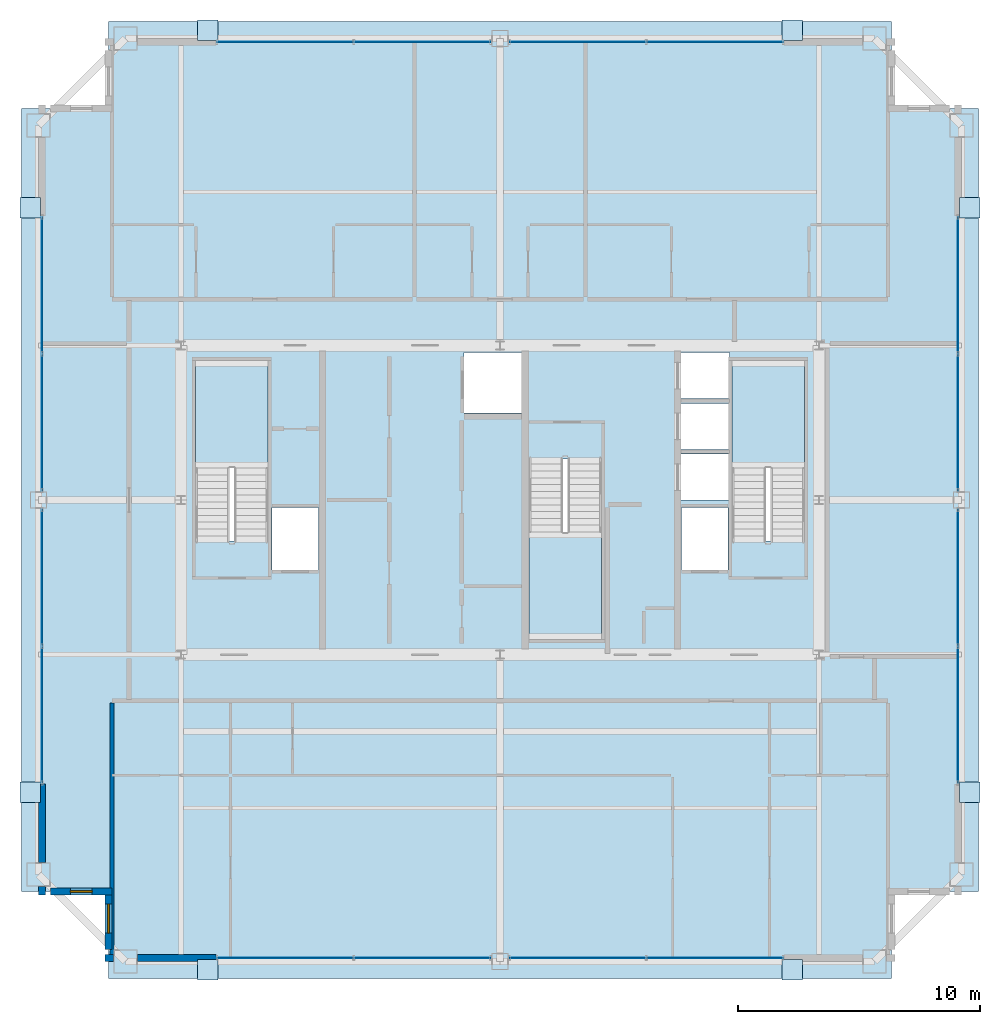
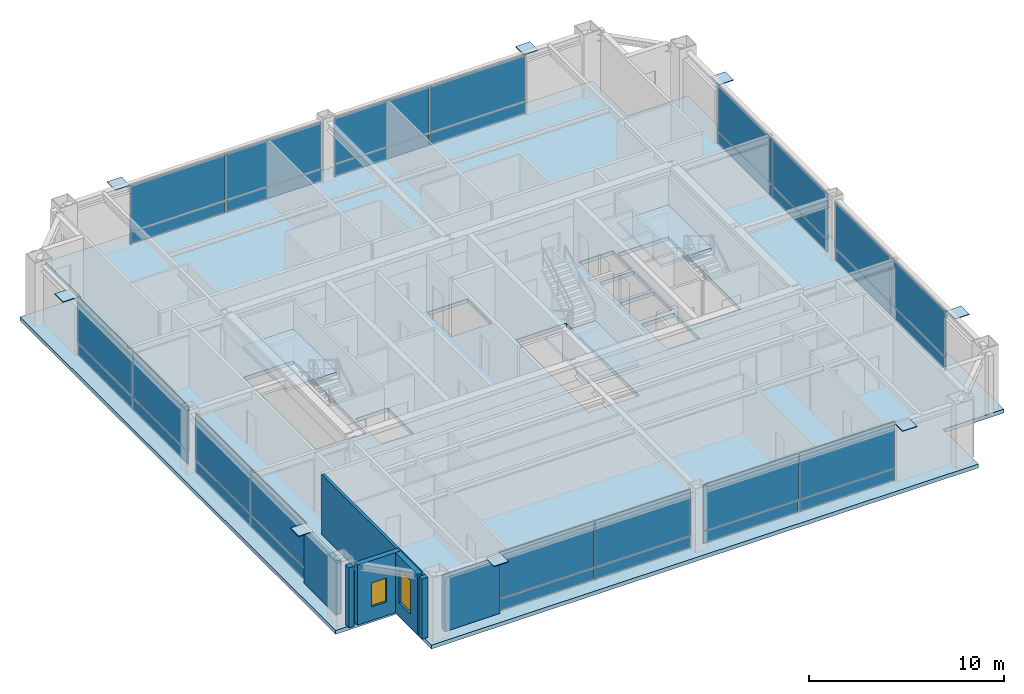
# One storey, part 29 of 34: 40 plates, 7 walls, 4 slabs, 2 windows, 2 openings, 11 elements without a shape of their own.
"""IFC4 building model written with IfcOpenShell, lengths in metres."""

from ifc_helpers import new_model, si_unit, direction, frame, frame_2d, origin, origin_2d, place, context, subcontext, project, spatial, polyline, rectangle, outline, extrude, source, transform, mapped, material, layer, layer_set, type_object, element, fill, aggregate, save


model = new_model("IFC4")

# Units and contexts
model_context = context("Model", 3, precision=1e-05, world=origin(), true_north=direction((0.0, 1.0)))
body_context = subcontext(model_context, "Body", "Model", "MODEL_VIEW")
ifc_project = project(units=[si_unit("LENGTHUNIT", "METRE"), si_unit("AREAUNIT", "SQUARE_METRE"), si_unit("VOLUMEUNIT", "CUBIC_METRE"), si_unit("PLANEANGLEUNIT", "RADIAN"), si_unit("MASSUNIT", "GRAM", prefix="KILO"), si_unit("THERMODYNAMICTEMPERATUREUNIT", "KELVIN"), si_unit("POWERUNIT", "WATT")], contexts=[model_context])

# Site, building, storey
site_placement = place(None, origin())
site = spatial("IfcSite", under=ifc_project, at=site_placement, CompositionType="ELEMENT")
building_placement = place(site_placement, origin())
building = spatial("IfcBuilding", under=site, at=building_placement, Name="Yuzanri Waterfront Tower", CompositionType="ELEMENT")
storey_placement = place(building_placement, frame((0.0, 0.0, 339.199951171875)))
storey = spatial("IfcBuildingStorey", under=building, at=storey_placement, Name="L91", CompositionType="ELEMENT", Elevation=339.199951171875)

# Slab
ifc_material_1 = material(Name="Concrete C40", Category="concrete")
ifc_layer_1 = layer(ifc_material_1, 0.239990234375)
ifc_layer_set_1 = layer_set([ifc_layer_1], Name="Concrete C40")
slab_type_1 = type_object("IfcSlabType", Name="Concrete C40 Penthouse Acoustic Structural Floor Slab 240", PredefinedType="FLOOR", material=ifc_layer_set_1)
slab_1_placement = place(storey_placement, frame((0.0, 0.0, -0.239990234375)))
element("IfcSlab", 1, at=slab_1_placement, inside=storey, type_object=slab_type_1, Name="L91 Main Structural Floor Slab", PredefinedType="FLOOR", context=body_context, shape_type="SweptSolid", body=[
    extrude(outline(polyline([(20.800048828125, 6.0), (53.199951171875, 6.0), (53.199951171875, 9.60009765625), (56.800048828125, 9.60009765625), (56.800048828125, 42.0), (53.199951171875, 42.0), (53.199951171875, 45.60009765625), (20.800048828125, 45.60009765625), (20.800048828125, 42.0), (17.199951171875, 42.0), (17.199951171875, 9.60009765625), (20.800048828125, 9.60009765625), (20.800048828125, 6.0)]), holes=[polyline([(27.39990234375, 24.10009765625), (27.39990234375, 31.580078125), (24.39990234375, 31.580078125), (24.39990234375, 24.10009765625), (27.39990234375, 24.10009765625)]), polyline([(49.60009765625, 24.10009765625), (49.60009765625, 31.580078125), (46.60009765625, 31.580078125), (46.60009765625, 24.10009765625), (49.60009765625, 24.10009765625)]), polyline([(38.199951171875, 27.5), (38.199951171875, 20.02001953125), (41.199951171875, 20.02001953125), (41.199951171875, 27.5), (38.199951171875, 27.5)]), polyline([(27.56005859375, 22.89990234375), (29.47998046875, 22.89990234375), (29.47998046875, 25.5), (27.56005859375, 25.5), (27.56005859375, 22.89990234375)]), polyline([(44.52001953125, 22.89990234375), (46.43994140625, 22.89990234375), (46.43994140625, 25.5), (44.52001953125, 25.5), (44.52001953125, 22.89990234375)]), polyline([(35.5, 29.39990234375), (37.89990234375, 29.39990234375), (37.89990234375, 31.89990234375), (35.5, 31.89990234375), (35.5, 29.39990234375)]), polyline([(44.5, 25.800048828125), (46.5, 25.800048828125), (46.5, 27.699951171875), (44.5, 27.699951171875), (44.5, 25.800048828125)]), polyline([(44.5, 27.89990234375), (46.5, 27.89990234375), (46.5, 29.800048828125), (44.5, 29.800048828125), (44.5, 27.89990234375)]), polyline([(44.5, 30.0), (46.5, 30.0), (46.5, 31.89990234375), (44.5, 31.89990234375), (44.5, 30.0)])]), origin(), (0.0, 0.0, 1.0), 0.239990234375),
])

# Stair, slab
ifc_material_2 = material(Name="Concrete C40", Category="concrete")
stair_type = type_object("IfcStairType", Name="Concrete C40 Core Dogleg Exit Stair", PredefinedType="HALF_TURN_STAIR", material=ifc_material_2)
stair_1_placement = place(storey_placement, origin())
stair_1 = element("IfcStair", 2, at=stair_1_placement, inside=storey, type_object=stair_type, Name="L91 Smoke-Proof Core Stair ST-01", PredefinedType="HALF_TURN_STAIR")
ifc_material_3 = material(Name="Concrete C40", Category="concrete")
ifc_layer_2 = layer(ifc_material_3, 0.179931640625)
ifc_layer_set_2 = layer_set([ifc_layer_2], Name="Concrete C40")
slab_type_2 = type_object("IfcSlabType", Name="Concrete C40 Stair Half-Landing Slab 180", PredefinedType="LANDING", material=ifc_layer_set_2)
slab_2_placement = place(storey_placement, frame((0.0, 0.0, 1.800048828125)))
slab_2 = element("IfcSlab", 3, at=slab_2_placement, type_object=slab_type_2, Name="ST-01 landing 1", PredefinedType="LANDING", context=body_context, shape_type="SweptSolid", body=[
    extrude(outline(polyline([(27.39990234375, 27.1201171875), (27.39990234375, 31.580078125), (24.39990234375, 31.580078125), (24.39990234375, 27.1201171875), (27.39990234375, 27.1201171875)])), origin(), (0.0, 0.0, 1.0), 0.199951171875),
])
aggregate(stair_1, [slab_2])

stair_2_placement = place(storey_placement, origin())
stair_2 = element("IfcStair", 4, at=stair_2_placement, inside=storey, type_object=stair_type, Name="L91 Smoke-Proof Core Stair ST-02", PredefinedType="HALF_TURN_STAIR")
slab_3_placement = place(storey_placement, frame((0.0, 0.0, 1.800048828125)))
slab_3 = element("IfcSlab", 5, at=slab_3_placement, type_object=slab_type_2, Name="ST-02 landing 1", PredefinedType="LANDING", context=body_context, shape_type="SweptSolid", body=[
    extrude(outline(polyline([(49.60009765625, 27.1201171875), (49.60009765625, 31.580078125), (46.60009765625, 31.580078125), (46.60009765625, 27.1201171875), (49.60009765625, 27.1201171875)])), origin(), (0.0, 0.0, 1.0), 0.199951171875),
])
aggregate(stair_2, [slab_3])

stair_3_placement = place(storey_placement, origin())
stair_3 = element("IfcStair", 6, at=stair_3_placement, inside=storey, type_object=stair_type, Name="L91 Smoke-Proof Core Stair ST-03", PredefinedType="HALF_TURN_STAIR")
slab_4_placement = place(storey_placement, frame((0.0, 0.0, 1.800048828125)))
slab_4 = element("IfcSlab", 7, at=slab_4_placement, type_object=slab_type_2, Name="ST-03 landing 1", PredefinedType="LANDING", context=body_context, shape_type="SweptSolid", body=[
    extrude(outline(polyline([(38.199951171875, 24.47998046875), (38.199951171875, 20.02001953125), (41.199951171875, 20.02001953125), (41.199951171875, 24.47998046875), (38.199951171875, 24.47998046875)])), origin(), (0.0, 0.0, 1.0), 0.199951171875),
])
aggregate(stair_3, [slab_4])

# Plates
ifc_material_4 = material(Name="Steel Q420GJC", Category="steel")
ifc_layer_3 = layer(ifc_material_4, 0.0400390625)
ifc_layer_set_3 = layer_set([ifc_layer_3], Name="Steel Q420GJC")
plate_type_1 = type_object("IfcPlateType", Name="Steel Q420GJC Mega-Brace Gusset and End-Cap Plate 40", PredefinedType="SHEET", material=ifc_layer_set_3)
shared_shape_1 = source(origin(), body_context, "Body", "SweptSolid", [
    extrude(rectangle(XDim=0.85009765625, YDim=0.85009765625, at=origin_2d()), origin(), (0.0, 0.0, 1.0), 0.0400390625),
])
for number, where, z_axis, x_axis, name in (
    (8, (24.89990234375, 6.360107421875, 3.659912109375), (0.0, 0.0, 1.0), (1.0, 0.0, 0.0), "L91 Mega-Brace Apex Cap Plate S-L"),
    (9, (49.10009765625, 6.360107421875, 3.659912109375), (0.0, 0.0, 1.0), (1.0, 0.0, 0.0), "L91 Mega-Brace Apex Cap Plate S-R"),
    (10, (24.89990234375, 45.239990234375, 3.659912109375), (0.0, 0.0, 1.0), (1.0, 0.0, 0.0), "L91 Mega-Brace Apex Cap Plate N-L"),
    (11, (49.10009765625, 45.239990234375, 3.659912109375), (0.0, 0.0, 1.0), (1.0, 0.0, 0.0), "L91 Mega-Brace Apex Cap Plate N-R"),
    (12, (17.56005859375, 13.699951171875, 3.659912109375), (0.0, 0.0, 1.0), (1.0, 0.0, 0.0), "L91 Mega-Brace Apex Cap Plate W-L"),
    (13, (17.56005859375, 37.89990234375, 3.659912109375), (0.0, 0.0, 1.0), (1.0, 0.0, 0.0), "L91 Mega-Brace Apex Cap Plate W-R"),
    (14, (56.43994140625, 13.699951171875, 3.659912109375), (0.0, 0.0, 1.0), (1.0, 0.0, 0.0), "L91 Mega-Brace Apex Cap Plate E-L"),
    (15, (56.43994140625, 37.89990234375, 3.659912109375), (0.0, 0.0, 1.0), (1.0, 0.0, 0.0), "L91 Mega-Brace Apex Cap Plate E-R"),
):
    element("IfcPlate", number, at=place(storey_placement, frame(where, z_axis=z_axis, x_axis=x_axis)), inside=storey, type_object=plate_type_1, Name=name, PredefinedType="SHEET", context=body_context, shape_type="MappedRepresentation", body=[
        mapped(shared_shape_1, transform((0.0, 0.0, 0.0), scale=1.0)),
    ])

# Curtain wall, plates
ifc_material_5 = material(Name="Anodized Architectural Bronze", Category="metal")
ifc_layer_4 = layer(ifc_material_5, 0.159912109375)
ifc_layer_set_4 = layer_set([ifc_layer_4], Name="Anodized Architectural Bronze")
curtain_wall_type = type_object("IfcCurtainWallType", Name="Anodized Bronze High-Rise Penthouse High-Wind Unitized Curtain Wall 6900", PredefinedType="NOTDEFINED", material=ifc_layer_set_4)
curtain_wall_1_placement = place(storey_placement, origin())
curtain_wall_1 = element("IfcCurtainWall", 16, at=curtain_wall_1_placement, inside=storey, type_object=curtain_wall_type, Name="L91 Curtain Wall CW-L91-SL", PredefinedType="NOTDEFINED")
ifc_material_6 = material(Name="Anodized Architectural Bronze", Category="metal")
ifc_layer_5 = layer(ifc_material_6, 0.028076171875)
ifc_layer_set_5 = layer_set([ifc_layer_5], Name="Anodized Architectural Bronze")
plate_type_2 = type_object("IfcPlateType", Name="Bronze Insulated Spandrel Shadow-Box Panel 28", PredefinedType="CURTAIN_PANEL", material=ifc_layer_set_5)
shared_shape_2 = source(origin(), body_context, "Body", "SweptSolid", [
    extrude(rectangle(XDim=5.6201171875, YDim=0.028076171875, at=origin_2d()), origin(), (0.0, 0.0, 1.0), 0.739990234375),
])
plate_1_placement = place(storey_placement, frame((28.10009765625, 6.85009765625, 0.05029296875), z_axis=(0.0, 0.0, 1.0), x_axis=(1.0, 0.0, 0.0)))
plate_1 = element("IfcPlate", 17, at=plate_1_placement, type_object=plate_type_2, Name="CW-L91-SL Spandrel Panel 01", PredefinedType="CURTAIN_PANEL", context=body_context, shape_type="MappedRepresentation", body=[
    mapped(shared_shape_2, transform((0.0, 0.0, 0.0), scale=1.0)),
])
plate_2_placement = place(storey_placement, frame((33.800048828125, 6.85009765625, 0.05029296875), z_axis=(0.0, 0.0, 1.0), x_axis=(1.0, 0.0, 0.0)))
plate_2 = element("IfcPlate", 18, at=plate_2_placement, type_object=plate_type_2, Name="CW-L91-SL Spandrel Panel 02", PredefinedType="CURTAIN_PANEL", context=body_context, shape_type="MappedRepresentation", body=[
    mapped(shared_shape_2, transform((0.0, 0.0, 0.0), scale=1.0)),
])

curtain_wall_2_placement = place(storey_placement, origin())
curtain_wall_2 = element("IfcCurtainWall", 19, at=curtain_wall_2_placement, inside=storey, type_object=curtain_wall_type, Name="L91 Curtain Wall CW-L91-SR", PredefinedType="NOTDEFINED")
plate_3_placement = place(storey_placement, frame((40.199951171875, 6.85009765625, 0.05029296875), z_axis=(0.0, 0.0, 1.0), x_axis=(1.0, 0.0, 0.0)))
plate_3 = element("IfcPlate", 20, at=plate_3_placement, type_object=plate_type_2, Name="CW-L91-SR Spandrel Panel 01", PredefinedType="CURTAIN_PANEL", context=body_context, shape_type="MappedRepresentation", body=[
    mapped(shared_shape_2, transform((0.0, 0.0, 0.0), scale=1.0)),
])
plate_4_placement = place(storey_placement, frame((45.89990234375, 6.85009765625, 0.05029296875), z_axis=(0.0, 0.0, 1.0), x_axis=(1.0, 0.0, 0.0)))
plate_4 = element("IfcPlate", 21, at=plate_4_placement, type_object=plate_type_2, Name="CW-L91-SR Spandrel Panel 02", PredefinedType="CURTAIN_PANEL", context=body_context, shape_type="MappedRepresentation", body=[
    mapped(shared_shape_2, transform((0.0, 0.0, 0.0), scale=1.0)),
])

curtain_wall_3_placement = place(storey_placement, origin())
curtain_wall_3 = element("IfcCurtainWall", 22, at=curtain_wall_3_placement, inside=storey, type_object=curtain_wall_type, Name="L91 Curtain Wall CW-L91-NL", PredefinedType="NOTDEFINED")
plate_5_placement = place(storey_placement, frame((28.10009765625, 44.75, 0.05029296875), z_axis=(0.0, 0.0, 1.0), x_axis=(1.0, 0.0, 0.0)))
plate_5 = element("IfcPlate", 23, at=plate_5_placement, type_object=plate_type_2, Name="CW-L91-NL Spandrel Panel 01", PredefinedType="CURTAIN_PANEL", context=body_context, shape_type="MappedRepresentation", body=[
    mapped(shared_shape_2, transform((0.0, 0.0, 0.0), scale=1.0)),
])
plate_6_placement = place(storey_placement, frame((33.800048828125, 44.75, 0.05029296875), z_axis=(0.0, 0.0, 1.0), x_axis=(1.0, 0.0, 0.0)))
plate_6 = element("IfcPlate", 24, at=plate_6_placement, type_object=plate_type_2, Name="CW-L91-NL Spandrel Panel 02", PredefinedType="CURTAIN_PANEL", context=body_context, shape_type="MappedRepresentation", body=[
    mapped(shared_shape_2, transform((0.0, 0.0, 0.0), scale=1.0)),
])

curtain_wall_4_placement = place(storey_placement, origin())
curtain_wall_4 = element("IfcCurtainWall", 25, at=curtain_wall_4_placement, inside=storey, type_object=curtain_wall_type, Name="L91 Curtain Wall CW-L91-NR", PredefinedType="NOTDEFINED")
plate_7_placement = place(storey_placement, frame((40.199951171875, 44.75, 0.05029296875), z_axis=(0.0, 0.0, 1.0), x_axis=(1.0, 0.0, 0.0)))
plate_7 = element("IfcPlate", 26, at=plate_7_placement, type_object=plate_type_2, Name="CW-L91-NR Spandrel Panel 01", PredefinedType="CURTAIN_PANEL", context=body_context, shape_type="MappedRepresentation", body=[
    mapped(shared_shape_2, transform((0.0, 0.0, 0.0), scale=1.0)),
])
plate_8_placement = place(storey_placement, frame((45.89990234375, 44.75, 0.05029296875), z_axis=(0.0, 0.0, 1.0), x_axis=(1.0, 0.0, 0.0)))
plate_8 = element("IfcPlate", 27, at=plate_8_placement, type_object=plate_type_2, Name="CW-L91-NR Spandrel Panel 02", PredefinedType="CURTAIN_PANEL", context=body_context, shape_type="MappedRepresentation", body=[
    mapped(shared_shape_2, transform((0.0, 0.0, 0.0), scale=1.0)),
])

curtain_wall_5_placement = place(storey_placement, origin())
curtain_wall_5 = element("IfcCurtainWall", 28, at=curtain_wall_5_placement, inside=storey, type_object=curtain_wall_type, Name="L91 Curtain Wall CW-L91-WL", PredefinedType="NOTDEFINED")
plate_9_placement = place(storey_placement, frame((18.050048828125, 16.89990234375, 0.05029296875), z_axis=(0.0, 0.0, 1.0), x_axis=(0.0, 1.0, 0.0)))
plate_9 = element("IfcPlate", 29, at=plate_9_placement, type_object=plate_type_2, Name="CW-L91-WL Spandrel Panel 01", PredefinedType="CURTAIN_PANEL", context=body_context, shape_type="MappedRepresentation", body=[
    mapped(shared_shape_2, transform((0.0, 0.0, 0.0), scale=1.0)),
])
plate_10_placement = place(storey_placement, frame((18.050048828125, 22.60009765625, 0.05029296875), z_axis=(0.0, 0.0, 1.0), x_axis=(0.0, 1.0, 0.0)))
plate_10 = element("IfcPlate", 30, at=plate_10_placement, type_object=plate_type_2, Name="CW-L91-WL Spandrel Panel 02", PredefinedType="CURTAIN_PANEL", context=body_context, shape_type="MappedRepresentation", body=[
    mapped(shared_shape_2, transform((0.0, 0.0, 0.0), scale=1.0)),
])

curtain_wall_6_placement = place(storey_placement, origin())
curtain_wall_6 = element("IfcCurtainWall", 31, at=curtain_wall_6_placement, inside=storey, type_object=curtain_wall_type, Name="L91 Curtain Wall CW-L91-WR", PredefinedType="NOTDEFINED")
plate_11_placement = place(storey_placement, frame((18.050048828125, 29.0, 0.05029296875), z_axis=(0.0, 0.0, 1.0), x_axis=(0.0, 1.0, 0.0)))
plate_11 = element("IfcPlate", 32, at=plate_11_placement, type_object=plate_type_2, Name="CW-L91-WR Spandrel Panel 01", PredefinedType="CURTAIN_PANEL", context=body_context, shape_type="MappedRepresentation", body=[
    mapped(shared_shape_2, transform((0.0, 0.0, 0.0), scale=1.0)),
])
plate_12_placement = place(storey_placement, frame((18.050048828125, 34.699951171875, 0.05029296875), z_axis=(0.0, 0.0, 1.0), x_axis=(0.0, 1.0, 0.0)))
plate_12 = element("IfcPlate", 33, at=plate_12_placement, type_object=plate_type_2, Name="CW-L91-WR Spandrel Panel 02", PredefinedType="CURTAIN_PANEL", context=body_context, shape_type="MappedRepresentation", body=[
    mapped(shared_shape_2, transform((0.0, 0.0, 0.0), scale=1.0)),
])

curtain_wall_7_placement = place(storey_placement, origin())
curtain_wall_7 = element("IfcCurtainWall", 34, at=curtain_wall_7_placement, inside=storey, type_object=curtain_wall_type, Name="L91 Curtain Wall CW-L91-EL", PredefinedType="NOTDEFINED")
plate_13_placement = place(storey_placement, frame((55.949951171875, 16.89990234375, 0.05029296875), z_axis=(0.0, 0.0, 1.0), x_axis=(0.0, 1.0, 0.0)))
plate_13 = element("IfcPlate", 35, at=plate_13_placement, type_object=plate_type_2, Name="CW-L91-EL Spandrel Panel 01", PredefinedType="CURTAIN_PANEL", context=body_context, shape_type="MappedRepresentation", body=[
    mapped(shared_shape_2, transform((0.0, 0.0, 0.0), scale=1.0)),
])
plate_14_placement = place(storey_placement, frame((55.949951171875, 22.60009765625, 0.05029296875), z_axis=(0.0, 0.0, 1.0), x_axis=(0.0, 1.0, 0.0)))
plate_14 = element("IfcPlate", 36, at=plate_14_placement, type_object=plate_type_2, Name="CW-L91-EL Spandrel Panel 02", PredefinedType="CURTAIN_PANEL", context=body_context, shape_type="MappedRepresentation", body=[
    mapped(shared_shape_2, transform((0.0, 0.0, 0.0), scale=1.0)),
])

curtain_wall_8_placement = place(storey_placement, origin())
curtain_wall_8 = element("IfcCurtainWall", 37, at=curtain_wall_8_placement, inside=storey, type_object=curtain_wall_type, Name="L91 Curtain Wall CW-L91-ER", PredefinedType="NOTDEFINED")
plate_15_placement = place(storey_placement, frame((55.949951171875, 29.0, 0.05029296875), z_axis=(0.0, 0.0, 1.0), x_axis=(0.0, 1.0, 0.0)))
plate_15 = element("IfcPlate", 38, at=plate_15_placement, type_object=plate_type_2, Name="CW-L91-ER Spandrel Panel 01", PredefinedType="CURTAIN_PANEL", context=body_context, shape_type="MappedRepresentation", body=[
    mapped(shared_shape_2, transform((0.0, 0.0, 0.0), scale=1.0)),
])
plate_16_placement = place(storey_placement, frame((55.949951171875, 34.699951171875, 0.05029296875), z_axis=(0.0, 0.0, 1.0), x_axis=(0.0, 1.0, 0.0)))
plate_16 = element("IfcPlate", 39, at=plate_16_placement, type_object=plate_type_2, Name="CW-L91-ER Spandrel Panel 02", PredefinedType="CURTAIN_PANEL", context=body_context, shape_type="MappedRepresentation", body=[
    mapped(shared_shape_2, transform((0.0, 0.0, 0.0), scale=1.0)),
])

# Plate
ifc_material_7 = material(Name="Triple Low-E Laminated Insulated Glass", Category="glass")
ifc_layer_6 = layer(ifc_material_7, 0.0439453125)
ifc_layer_set_6 = layer_set([ifc_layer_6], Name="Triple Low-E Laminated Insulated Glass")
plate_type_3 = type_object("IfcPlateType", Name="Triple Glazed Acoustic Vision Glass Panel 44", PredefinedType="CURTAIN_PANEL", material=ifc_layer_set_6)
shared_shape_3 = source(origin(), body_context, "Body", "SweptSolid", [
    extrude(rectangle(XDim=5.6201171875, YDim=0.0439453125, at=origin_2d()), origin(), (0.0, 0.0, 1.0), 2.860107421875),
])
plate_17_placement = place(storey_placement, frame((28.10009765625, 6.85009765625, 0.85009765625), z_axis=(0.0, 0.0, 1.0), x_axis=(1.0, 0.0, 0.0)))
plate_17 = element("IfcPlate", 40, at=plate_17_placement, type_object=plate_type_3, Name="CW-L91-SL Vision Glass Panel 01", PredefinedType="CURTAIN_PANEL", context=body_context, shape_type="MappedRepresentation", body=[
    mapped(shared_shape_3, transform((0.0, 0.0, 0.0), scale=1.0)),
])

plate_18_placement = place(storey_placement, frame((33.800048828125, 6.85009765625, 0.85009765625), z_axis=(0.0, 0.0, 1.0), x_axis=(1.0, 0.0, 0.0)))
plate_18 = element("IfcPlate", 41, at=plate_18_placement, type_object=plate_type_3, Name="CW-L91-SL Vision Glass Panel 02", PredefinedType="CURTAIN_PANEL", context=body_context, shape_type="MappedRepresentation", body=[
    mapped(shared_shape_3, transform((0.0, 0.0, 0.0), scale=1.0)),
])

aggregate(curtain_wall_1, [plate_1, plate_17, plate_2, plate_18])

plate_19_placement = place(storey_placement, frame((40.199951171875, 6.85009765625, 0.85009765625), z_axis=(0.0, 0.0, 1.0), x_axis=(1.0, 0.0, 0.0)))
plate_19 = element("IfcPlate", 42, at=plate_19_placement, type_object=plate_type_3, Name="CW-L91-SR Vision Glass Panel 01", PredefinedType="CURTAIN_PANEL", context=body_context, shape_type="MappedRepresentation", body=[
    mapped(shared_shape_3, transform((0.0, 0.0, 0.0), scale=1.0)),
])

plate_20_placement = place(storey_placement, frame((45.89990234375, 6.85009765625, 0.85009765625), z_axis=(0.0, 0.0, 1.0), x_axis=(1.0, 0.0, 0.0)))
plate_20 = element("IfcPlate", 43, at=plate_20_placement, type_object=plate_type_3, Name="CW-L91-SR Vision Glass Panel 02", PredefinedType="CURTAIN_PANEL", context=body_context, shape_type="MappedRepresentation", body=[
    mapped(shared_shape_3, transform((0.0, 0.0, 0.0), scale=1.0)),
])

aggregate(curtain_wall_2, [plate_3, plate_19, plate_4, plate_20])

plate_21_placement = place(storey_placement, frame((28.10009765625, 44.75, 0.85009765625), z_axis=(0.0, 0.0, 1.0), x_axis=(1.0, 0.0, 0.0)))
plate_21 = element("IfcPlate", 44, at=plate_21_placement, type_object=plate_type_3, Name="CW-L91-NL Vision Glass Panel 01", PredefinedType="CURTAIN_PANEL", context=body_context, shape_type="MappedRepresentation", body=[
    mapped(shared_shape_3, transform((0.0, 0.0, 0.0), scale=1.0)),
])

plate_22_placement = place(storey_placement, frame((33.800048828125, 44.75, 0.85009765625), z_axis=(0.0, 0.0, 1.0), x_axis=(1.0, 0.0, 0.0)))
plate_22 = element("IfcPlate", 45, at=plate_22_placement, type_object=plate_type_3, Name="CW-L91-NL Vision Glass Panel 02", PredefinedType="CURTAIN_PANEL", context=body_context, shape_type="MappedRepresentation", body=[
    mapped(shared_shape_3, transform((0.0, 0.0, 0.0), scale=1.0)),
])

aggregate(curtain_wall_3, [plate_5, plate_21, plate_6, plate_22])

plate_23_placement = place(storey_placement, frame((40.199951171875, 44.75, 0.85009765625), z_axis=(0.0, 0.0, 1.0), x_axis=(1.0, 0.0, 0.0)))
plate_23 = element("IfcPlate", 46, at=plate_23_placement, type_object=plate_type_3, Name="CW-L91-NR Vision Glass Panel 01", PredefinedType="CURTAIN_PANEL", context=body_context, shape_type="MappedRepresentation", body=[
    mapped(shared_shape_3, transform((0.0, 0.0, 0.0), scale=1.0)),
])

plate_24_placement = place(storey_placement, frame((45.89990234375, 44.75, 0.85009765625), z_axis=(0.0, 0.0, 1.0), x_axis=(1.0, 0.0, 0.0)))
plate_24 = element("IfcPlate", 47, at=plate_24_placement, type_object=plate_type_3, Name="CW-L91-NR Vision Glass Panel 02", PredefinedType="CURTAIN_PANEL", context=body_context, shape_type="MappedRepresentation", body=[
    mapped(shared_shape_3, transform((0.0, 0.0, 0.0), scale=1.0)),
])

aggregate(curtain_wall_4, [plate_7, plate_23, plate_8, plate_24])

plate_25_placement = place(storey_placement, frame((18.050048828125, 16.89990234375, 0.85009765625), z_axis=(0.0, 0.0, 1.0), x_axis=(0.0, 1.0, 0.0)))
plate_25 = element("IfcPlate", 48, at=plate_25_placement, type_object=plate_type_3, Name="CW-L91-WL Vision Glass Panel 01", PredefinedType="CURTAIN_PANEL", context=body_context, shape_type="MappedRepresentation", body=[
    mapped(shared_shape_3, transform((0.0, 0.0, 0.0), scale=1.0)),
])

plate_26_placement = place(storey_placement, frame((18.050048828125, 22.60009765625, 0.85009765625), z_axis=(0.0, 0.0, 1.0), x_axis=(0.0, 1.0, 0.0)))
plate_26 = element("IfcPlate", 49, at=plate_26_placement, type_object=plate_type_3, Name="CW-L91-WL Vision Glass Panel 02", PredefinedType="CURTAIN_PANEL", context=body_context, shape_type="MappedRepresentation", body=[
    mapped(shared_shape_3, transform((0.0, 0.0, 0.0), scale=1.0)),
])

aggregate(curtain_wall_5, [plate_9, plate_25, plate_10, plate_26])

plate_27_placement = place(storey_placement, frame((18.050048828125, 29.0, 0.85009765625), z_axis=(0.0, 0.0, 1.0), x_axis=(0.0, 1.0, 0.0)))
plate_27 = element("IfcPlate", 50, at=plate_27_placement, type_object=plate_type_3, Name="CW-L91-WR Vision Glass Panel 01", PredefinedType="CURTAIN_PANEL", context=body_context, shape_type="MappedRepresentation", body=[
    mapped(shared_shape_3, transform((0.0, 0.0, 0.0), scale=1.0)),
])

plate_28_placement = place(storey_placement, frame((18.050048828125, 34.699951171875, 0.85009765625), z_axis=(0.0, 0.0, 1.0), x_axis=(0.0, 1.0, 0.0)))
plate_28 = element("IfcPlate", 51, at=plate_28_placement, type_object=plate_type_3, Name="CW-L91-WR Vision Glass Panel 02", PredefinedType="CURTAIN_PANEL", context=body_context, shape_type="MappedRepresentation", body=[
    mapped(shared_shape_3, transform((0.0, 0.0, 0.0), scale=1.0)),
])

aggregate(curtain_wall_6, [plate_11, plate_27, plate_12, plate_28])

plate_29_placement = place(storey_placement, frame((55.949951171875, 16.89990234375, 0.85009765625), z_axis=(0.0, 0.0, 1.0), x_axis=(0.0, 1.0, 0.0)))
plate_29 = element("IfcPlate", 52, at=plate_29_placement, type_object=plate_type_3, Name="CW-L91-EL Vision Glass Panel 01", PredefinedType="CURTAIN_PANEL", context=body_context, shape_type="MappedRepresentation", body=[
    mapped(shared_shape_3, transform((0.0, 0.0, 0.0), scale=1.0)),
])

plate_30_placement = place(storey_placement, frame((55.949951171875, 22.60009765625, 0.85009765625), z_axis=(0.0, 0.0, 1.0), x_axis=(0.0, 1.0, 0.0)))
plate_30 = element("IfcPlate", 53, at=plate_30_placement, type_object=plate_type_3, Name="CW-L91-EL Vision Glass Panel 02", PredefinedType="CURTAIN_PANEL", context=body_context, shape_type="MappedRepresentation", body=[
    mapped(shared_shape_3, transform((0.0, 0.0, 0.0), scale=1.0)),
])

aggregate(curtain_wall_7, [plate_13, plate_29, plate_14, plate_30])

plate_31_placement = place(storey_placement, frame((55.949951171875, 29.0, 0.85009765625), z_axis=(0.0, 0.0, 1.0), x_axis=(0.0, 1.0, 0.0)))
plate_31 = element("IfcPlate", 54, at=plate_31_placement, type_object=plate_type_3, Name="CW-L91-ER Vision Glass Panel 01", PredefinedType="CURTAIN_PANEL", context=body_context, shape_type="MappedRepresentation", body=[
    mapped(shared_shape_3, transform((0.0, 0.0, 0.0), scale=1.0)),
])

plate_32_placement = place(storey_placement, frame((55.949951171875, 34.699951171875, 0.85009765625), z_axis=(0.0, 0.0, 1.0), x_axis=(0.0, 1.0, 0.0)))
plate_32 = element("IfcPlate", 55, at=plate_32_placement, type_object=plate_type_3, Name="CW-L91-ER Vision Glass Panel 02", PredefinedType="CURTAIN_PANEL", context=body_context, shape_type="MappedRepresentation", body=[
    mapped(shared_shape_3, transform((0.0, 0.0, 0.0), scale=1.0)),
])

aggregate(curtain_wall_8, [plate_15, plate_31, plate_16, plate_32])

# Wall, opening, window
ifc_material_8 = material(Name="Honed Chongqing Dark Basalt Stone", Category="masonry")
ifc_layer_7 = layer(ifc_material_8, 0.300048828125)
ifc_layer_set_7 = layer_set([ifc_layer_7], Name="Honed Chongqing Dark Basalt Stone")
wall_type_1 = type_object("IfcWallType", Name="Bronze Rainscreen Insulated Spandrel Portal Wall 300", PredefinedType="SOLIDWALL", material=ifc_layer_set_7)
wall_1_placement = place(storey_placement, frame((18.39990234375, 9.60009765625, 0.0), z_axis=(0.0, 0.0, 1.0), x_axis=(1.0, 0.0, 0.0)))
wall_1 = element("IfcWall", 56, at=wall_1_placement, inside=storey, type_object=wall_type_1, Name="L91 Notched Corner Masonry Wall SW-X", PredefinedType="SOLIDWALL", context=body_context, shape_type="SweptSolid", body=[
    extrude(rectangle(XDim=2.550048828125, YDim=0.300048828125, at=frame_2d((1.27490234375, 0.0))), origin(), (0.0, 0.0, 1.0), 3.760009765625),
])
opening_1_placement = place(wall_1_placement, frame((0.824951171875, 0.0, 0.85009765625)))
opening_1 = element("IfcOpeningElement", 57, at=opening_1_placement, cuts=wall_1, Name="Opening WN-05", PredefinedType="OPENING", context=body_context, shape_type="SweptSolid", body=[
    extrude(rectangle(XDim=0.89990234375, YDim=1.5, at=frame_2d((0.449951171875, 0.75))), frame((0.0, 0.1650390625, 0.0), z_axis=(0.0, -1.0, 0.0), x_axis=(1.0, 0.0, 0.0)), (0.0, 0.0, 1.0), 0.329833984375),
])
ifc_material_9 = material(Name="Double-Silver Low-E Insulated Glass", Category="glass")
window_type_1 = type_object("IfcWindowType", Name="Anodized Bronze Service and Stairwell Smoke-Vent Window 900x1500", PartitioningType="SINGLE_PANEL", PredefinedType="WINDOW", material=ifc_material_9)
shared_shape_4 = source(origin(), body_context, "Body", "SweptSolid", [
    extrude(rectangle(XDim=0.89990234375, YDim=1.5, at=frame_2d((0.449951171875, 0.75))), frame((0.0, 0.030029296875, 0.0), z_axis=(0.0, -1.0, 0.0), x_axis=(1.0, 0.0, 0.0)), (0.0, 0.0, 1.0), 0.06005859375),
])
window_1_placement = place(opening_1_placement, origin())
window_1 = element("IfcWindow", 58, at=window_1_placement, inside=storey, type_object=window_type_1, Name="L91 Notched Corner Window SW-X", OverallHeight=1.5, OverallWidth=0.89990234375, PartitioningType="SINGLE_PANEL", PredefinedType="WINDOW", context=body_context, shape_type="MappedRepresentation", body=[
    mapped(shared_shape_4, transform((0.0, 0.0, 0.0), scale=1.0)),
])
fill(opening_1, window_1)

wall_2_placement = place(storey_placement, frame((20.800048828125, 9.75, 0.0), z_axis=(0.0, 0.0, 1.0), x_axis=(0.0, -1.0, 0.0)))
wall_2 = element("IfcWall", 59, at=wall_2_placement, inside=storey, type_object=wall_type_1, Name="L91 Notched Corner Masonry Wall SW-Y", PredefinedType="SOLIDWALL", context=body_context, shape_type="SweptSolid", body=[
    extrude(rectangle(XDim=2.550048828125, YDim=0.300048828125, at=frame_2d((1.27490234375, 0.0))), origin(), (0.0, 0.0, 1.0), 3.760009765625),
])
opening_2_placement = place(wall_2_placement, frame((0.675048828125, 0.0, 0.85009765625)))
opening_2 = element("IfcOpeningElement", 60, at=opening_2_placement, cuts=wall_2, Name="Opening WN-02", PredefinedType="OPENING", context=body_context, shape_type="SweptSolid", body=[
    extrude(rectangle(XDim=1.199951171875, YDim=2.10009765625, at=frame_2d((0.60009765625, 1.050048828125))), frame((0.0, 0.1650390625, 0.0), z_axis=(0.0, -1.0, 0.0), x_axis=(1.0, 0.0, 0.0)), (0.0, 0.0, 1.0), 0.329833984375),
])
ifc_material_10 = material(Name="Double-Silver Low-E Insulated Glass", Category="glass")
window_type_2 = type_object("IfcWindowType", Name="Anodized Bronze Notched Corner Deep-Set Slot Window 1200x2100", PartitioningType="SINGLE_PANEL", PredefinedType="WINDOW", material=ifc_material_10)
shared_shape_5 = source(origin(), body_context, "Body", "SweptSolid", [
    extrude(rectangle(XDim=1.199951171875, YDim=2.10009765625, at=frame_2d((0.60009765625, 1.050048828125))), frame((0.0, 0.030029296875, 0.0), z_axis=(0.0, -1.0, 0.0), x_axis=(1.0, 0.0, 0.0)), (0.0, 0.0, 1.0), 0.06005859375),
])
window_2_placement = place(opening_2_placement, origin())
window_2 = element("IfcWindow", 61, at=window_2_placement, inside=storey, type_object=window_type_2, Name="L91 Notched Corner Window SW-Y", OverallHeight=2.10009765625, OverallWidth=1.199951171875, PartitioningType="SINGLE_PANEL", PredefinedType="WINDOW", context=body_context, shape_type="MappedRepresentation", body=[
    mapped(shared_shape_5, transform((0.0, 0.0, 0.0), scale=1.0)),
])
fill(opening_2, window_2)

# Walls
shared_shape_6 = source(origin(), body_context, "Body", "SweptSolid", [
    extrude(rectangle(XDim=0.35009765625, YDim=0.300048828125, at=frame_2d((0.175048828125, 0.0))), origin(), (0.0, 0.0, 1.0), 3.760009765625),
])
for number, where, z_axis, x_axis, name in (
    (62, (20.64990234375, 6.85009765625, 0.0), (0.0, 0.0, 1.0), (1.0, 0.0, 0.0), "L91 Corner Column Shoulder Return CSW"),
    (63, (18.050048828125, 9.449951171875, 0.0), (0.0, 0.0, 1.0), (0.0, 1.0, 0.0), "L91 Corner Column Shoulder Return CWS"),
):
    element("IfcWall", number, at=place(storey_placement, frame(where, z_axis=z_axis, x_axis=x_axis)), inside=storey, type_object=wall_type_1, Name=name, PredefinedType="SOLIDWALL", context=body_context, shape_type="MappedRepresentation", body=[
        mapped(shared_shape_6, transform((0.0, 0.0, 0.0), scale=1.0)),
    ])
shared_shape_7 = source(origin(), body_context, "Body", "SweptSolid", [
    extrude(rectangle(XDim=3.25, YDim=0.300048828125, at=frame_2d((1.625, 0.0))), origin(), (0.0, 0.0, 1.0), 3.364990234375),
])
for number, where, z_axis, x_axis, name in (
    (64, (22.0, 6.85009765625, 0.0), (0.0, 0.0, 1.0), (1.0, 0.0, 0.0), "L91 S Left Braced Masonry Shoulder"),
    (65, (18.050048828125, 10.800048828125, 0.0), (0.0, 0.0, 1.0), (0.0, 1.0, 0.0), "L91 W Left Braced Masonry Shoulder"),
):
    element("IfcWall", number, at=place(storey_placement, frame(where, z_axis=z_axis, x_axis=x_axis)), inside=storey, type_object=wall_type_1, Name=name, PredefinedType="SOLIDWALL", context=body_context, shape_type="MappedRepresentation", body=[
        mapped(shared_shape_7, transform((0.0, 0.0, 0.0), scale=1.0)),
    ])
ifc_material_11 = material(Name="Gypsum Fireboard Acoustic Stud Wall", Category="gypsum")
ifc_layer_8 = layer(ifc_material_11, 0.159912109375)
ifc_layer_set_8 = layer_set([ifc_layer_8], Name="Gypsum Fireboard Acoustic Stud Wall")
wall_type_2 = type_object("IfcWallType", Name="Acoustic Suite Demising Partition 160", PredefinedType="PARTITIONING", material=ifc_layer_set_8)
shared_shape_8 = source(origin(), body_context, "Body", "SweptSolid", [
    extrude(rectangle(XDim=10.389892578125, YDim=0.159912109375, at=frame_2d((5.19482421875, 0.0))), origin(), (0.0, 0.0, 1.0), 3.760009765625),
])
wall_3_placement = place(storey_placement, frame((20.949951171875, 7.0, 0.0), z_axis=(0.0, 0.0, 1.0), x_axis=(0.0, 1.0, 0.0)))
element("IfcWall", 66, at=wall_3_placement, inside=storey, type_object=wall_type_2, Name="L91 South Band West End Wall", PredefinedType="PARTITIONING", context=body_context, shape_type="MappedRepresentation", body=[
    mapped(shared_shape_8, transform((0.0, 0.0, 0.0), scale=1.0)),
])

save(model, "model.ifc")
